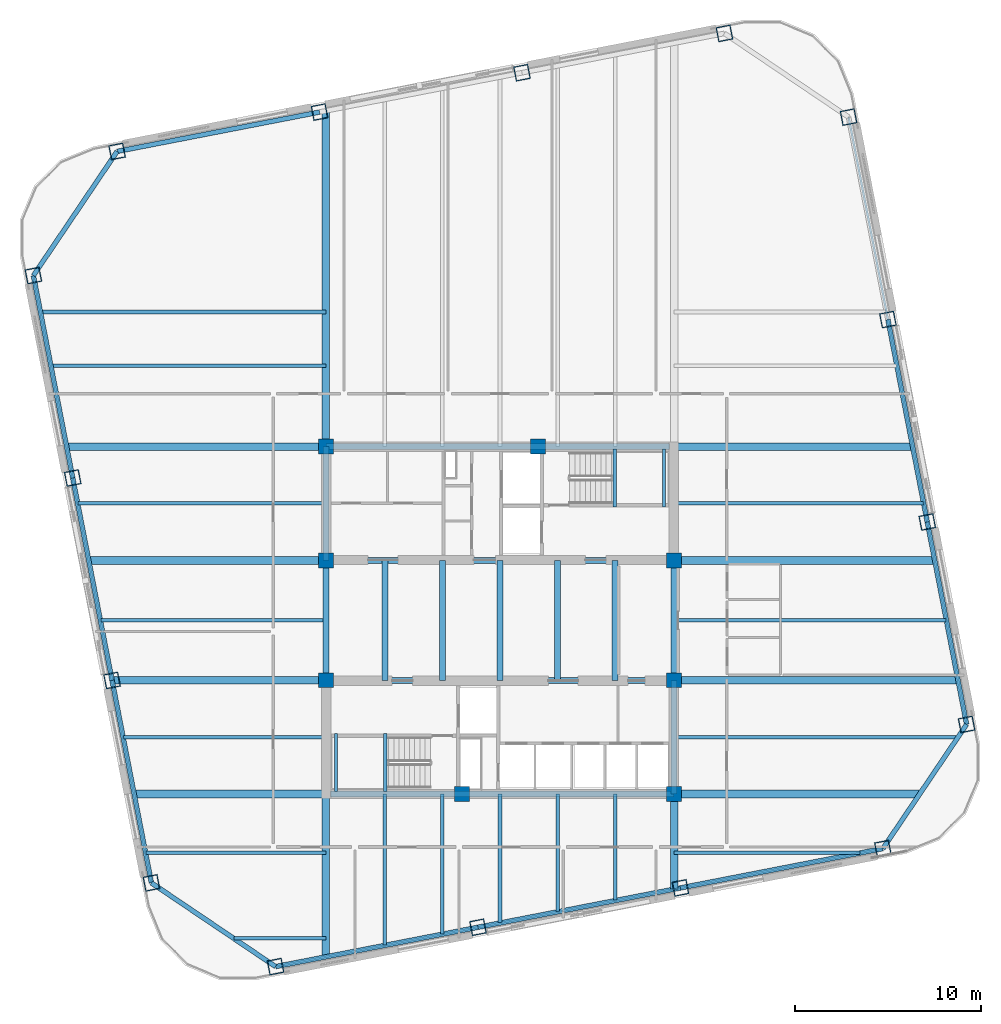
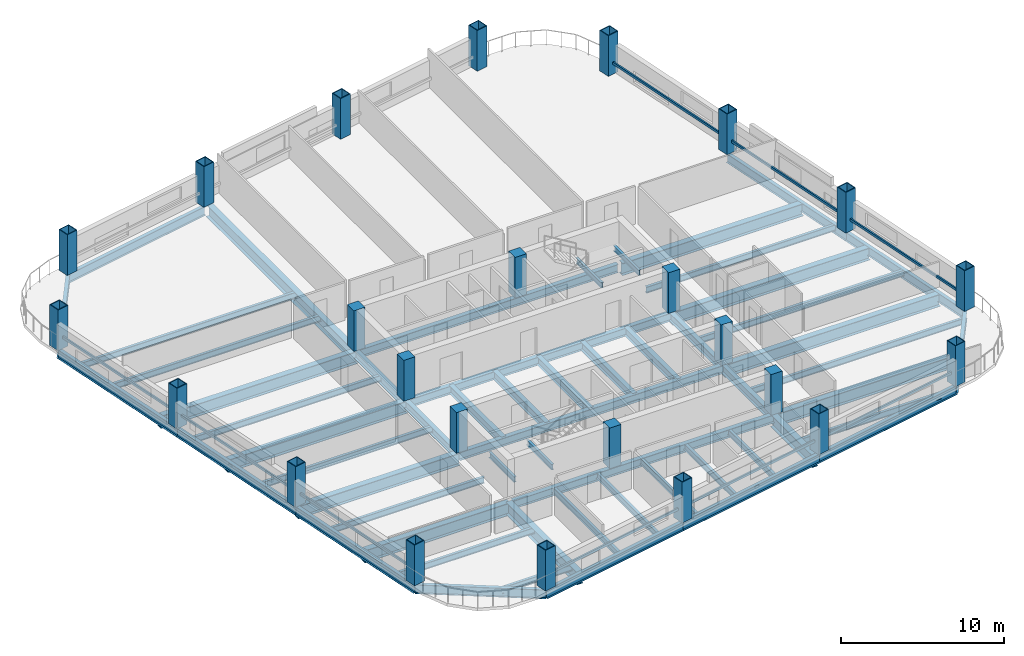
# One storey, part 1 of 9: 56 beams, 24 columns, 3 members.
"""IFC4 building model written with IfcOpenShell, lengths in metres."""

from ifc_helpers import new_model, si_unit, direction, frame, origin, origin_2d, place, context, subcontext, project, spatial, rectangle, hollow_rectangle, i_section, extrude, material, material_profile, profile_set, type_object, element, save


model = new_model("IFC4")

# Units and contexts
model_context = context("Model", 3, precision=1e-05, world=origin(), true_north=direction((0.0, 1.0)))
body_context = subcontext(model_context, "Body", "Model", "MODEL_VIEW")
ifc_project = project(units=[si_unit("LENGTHUNIT", "METRE"), si_unit("AREAUNIT", "SQUARE_METRE"), si_unit("VOLUMEUNIT", "CUBIC_METRE"), si_unit("PLANEANGLEUNIT", "RADIAN"), si_unit("MASSUNIT", "GRAM", prefix="KILO")], contexts=[model_context])

# Site, building, storey
site_placement = place(None, origin())
site = spatial("IfcSite", under=ifc_project, at=site_placement, CompositionType="ELEMENT")
building_placement = place(site_placement, origin())
building = spatial("IfcBuilding", under=site, at=building_placement, Name="Qhalaya Broadcast Tower", CompositionType="ELEMENT")
storey_placement = place(building_placement, frame((0.0, 0.0, 128.050048828125)))
storey = spatial("IfcBuildingStorey", under=building, at=storey_placement, Name="L37", CompositionType="ELEMENT", Elevation=128.050048828125)

# Columns
ifc_material_1 = material(Name="Concrete C50/60", Category="concrete")
ifc_material_profile_1 = material_profile(ifc_material_1, rectangle(XDim=0.800048828125, YDim=0.800048828125, at=origin_2d()), Name="RC-COL 800x800")
ifc_profile_set_1 = profile_set([ifc_material_profile_1], Name="Concrete C50/60")
column_type_1 = type_object("IfcColumnType", Name="RC Upper Column C10", PredefinedType="COLUMN", material=ifc_profile_set_1)
for number, where, z_axis, x_axis, name in (
    (1, (-9.375, 9.949951171875, 0.0), (0.0, 0.0, 1.0), (1.0, 0.0, 0.0), "L37 Column COL-CC1"),
    (2, (2.050048828125, 9.949951171875, 0.0), (0.0, 0.0, 1.0), (1.0, 0.0, 0.0), "L37 Column COL-CC2"),
    (3, (-9.375, 3.824951171875, 0.0), (0.0, 0.0, 1.0), (1.0, 0.0, 0.0), "L37 Column COL-CC3"),
    (4, (9.375, 3.824951171875, 0.0), (0.0, 0.0, 1.0), (1.0, 0.0, 0.0), "L37 Column COL-CC4"),
    (5, (-9.375, -2.625, 0.0), (0.0, 0.0, 1.0), (1.0, 0.0, 0.0), "L37 Column COL-CC5"),
    (6, (9.375, -2.625, 0.0), (0.0, 0.0, 1.0), (1.0, 0.0, 0.0), "L37 Column COL-CC6"),
    (7, (-2.050048828125, -8.75, 0.0), (0.0, 0.0, 1.0), (1.0, 0.0, 0.0), "L37 Column COL-CC7"),
    (8, (9.375, -8.75, 0.0), (0.0, 0.0, 1.0), (1.0, 0.0, 0.0), "L37 Column COL-CC8"),
):
    element("IfcColumn", number, at=place(storey_placement, frame(where, z_axis=z_axis, x_axis=x_axis)), inside=storey, type_object=column_type_1, Name=name, PredefinedType="COLUMN", context=body_context, shape_type="SweptSolid", body=[
        extrude(rectangle(XDim=0.800048828125, YDim=0.800048828125, at=origin_2d()), origin(), (0.0, 0.0, 1.0), 3.050048828125),
    ])
ifc_material_2 = material(Name="Structural Steel ASTM A572 Grade 50", Category="steel")
ifc_material_profile_2 = material_profile(ifc_material_2, hollow_rectangle(XDim=0.800048828125, YDim=0.800048828125, WallThickness=0.050048828125, at=origin_2d()), Name="BOX 800x800x50")
ifc_profile_set_2 = profile_set([ifc_material_profile_2], Name="Structural Steel ASTM A572 Grade 50")
column_type_2 = type_object("IfcColumnType", Name="Steel Box Column C03", PredefinedType="COLUMN", material=ifc_profile_set_2)
for number, where, z_axis, x_axis, name in (
    (9, (-12.07958984375, -18.036376953125, 0.0), (0.0, 0.0, 1.0), (0.981627183448, 0.190808995377, 0.0), "L37 Column COL-EX01"),
    (10, (-1.183349609375, -15.91845703125, 0.0), (0.0, 0.0, 1.0), (0.981627183448, 0.190808995377, 0.0), "L37 Column COL-EX02"),
    (11, (9.712646484375, -13.80029296875, 0.0), (0.0, 0.0, 1.0), (0.981627183448, 0.190808995377, 0.0), "L37 Column COL-EX03"),
    (12, (20.608642578125, -11.682373046875, 0.0), (0.0, 0.0, 1.0), (0.981627183448, 0.190808995377, 0.0), "L37 Column COL-EX04"),
    (13, (25.1162109375, -4.99951171875, 0.0), (0.0, 0.0, 1.0), (-0.190808995377, 0.981627183448, 0.0), "L37 Column COL-EX05"),
    (14, (22.998291015625, 5.896484375, 0.0), (0.0, 0.0, 1.0), (-0.190808995377, 0.981627183448, 0.0), "L37 Column COL-EX06"),
    (15, (20.88037109375, 16.79248046875, 0.0), (0.0, 0.0, 1.0), (-0.190808995377, 0.981627183448, 0.0), "L37 Column COL-EX07"),
    (16, (18.762451171875, 27.688720703125, 0.0), (0.0, 0.0, 1.0), (-0.190808995377, 0.981627183448, 0.0), "L37 Column COL-EX08"),
    (17, (12.07958984375, 32.1962890625, 0.0), (0.0, 0.0, 1.0), (0.981627183448, 0.190808995377, 0.0), "L37 Column COL-EX09"),
    (18, (1.183349609375, 30.078369140625, 0.0), (0.0, 0.0, 1.0), (0.981627183448, 0.190808995377, 0.0), "L37 Column COL-EX10"),
    (19, (-9.712646484375, 27.96044921875, 0.0), (0.0, 0.0, 1.0), (0.981627183448, 0.190808995377, 0.0), "L37 Column COL-EX11"),
    (20, (-20.608642578125, 25.84228515625, 0.0), (0.0, 0.0, 1.0), (0.981627183448, 0.190808995377, 0.0), "L37 Column COL-EX12"),
    (21, (-25.1162109375, 19.159423828125, 0.0), (0.0, 0.0, 1.0), (-0.190808995377, 0.981627183448, 0.0), "L37 Column COL-EX13"),
    (22, (-22.998291015625, 8.263427734375, 0.0), (0.0, 0.0, 1.0), (-0.190808995377, 0.981627183448, 0.0), "L37 Column COL-EX14"),
    (23, (-20.88037109375, -2.632568359375, 0.0), (0.0, 0.0, 1.0), (-0.190808995377, 0.981627183448, 0.0), "L37 Column COL-EX15"),
    (24, (-18.762451171875, -13.52880859375, 0.0), (0.0, 0.0, 1.0), (-0.190808995377, 0.981627183448, 0.0), "L37 Column COL-EX16"),
):
    element("IfcColumn", number, at=place(storey_placement, frame(where, z_axis=z_axis, x_axis=x_axis)), inside=storey, type_object=column_type_2, Name=name, PredefinedType="COLUMN", context=body_context, shape_type="SweptSolid", body=[
        extrude(hollow_rectangle(XDim=0.800048828125, YDim=0.800048828125, WallThickness=0.050048828125, at=origin_2d()), origin(), (0.0, 0.0, 1.0), 3.050048828125),
    ])

# Beams
ifc_material_3 = material(Name="Structural Steel ASTM A992 Grade 50", Category="steel")
ifc_material_profile_3 = material_profile(ifc_material_3, i_section(OverallWidth=0.19189453125, OverallDepth=0.462890625, WebThickness=0.010498046875, FlangeThickness=0.017578125, at=origin_2d()), Name="W18X60")
ifc_profile_set_3 = profile_set([ifc_material_profile_3], Name="Structural Steel ASTM A992 Grade 50")
beam_type_1 = type_object("IfcBeamType", Name="Composite Floor Joist J03", PredefinedType="JOIST", material=ifc_profile_set_3)
beam_1_placement = place(storey_placement, frame((-6.199951171875, -16.873046875, -0.45166015625), z_axis=(0.0, 1.0, 0.0), x_axis=(-1.0, 0.0, 0.0)))
element("IfcBeam", 25, at=beam_1_placement, inside=storey, type_object=beam_type_1, Name="L37 J03 L37-JNS1-1", PredefinedType="JOIST", context=body_context, shape_type="SweptSolid", body=[
    extrude(i_section(OverallWidth=0.19189453125, OverallDepth=0.462890625, WebThickness=0.010498046875, FlangeThickness=0.017578125, at=origin_2d()), origin(), (0.0, 0.0, 1.0), 8.123046875),
])
beam_2_placement = place(storey_placement, frame((-3.10009765625, -16.2705078125, -0.45166015625), z_axis=(0.0, 1.0, 0.0), x_axis=(-1.0, 0.0, 0.0)))
element("IfcBeam", 26, at=beam_2_placement, inside=storey, type_object=beam_type_1, Name="L37 J03 L37-JNS2-1", PredefinedType="JOIST", context=body_context, shape_type="SweptSolid", body=[
    extrude(i_section(OverallWidth=0.19189453125, OverallDepth=0.462890625, WebThickness=0.010498046875, FlangeThickness=0.017578125, at=origin_2d()), origin(), (0.0, 0.0, 1.0), 7.5205078125),
])
beam_3_placement = place(storey_placement, frame((0.0, -15.66796875, -0.45166015625), z_axis=(0.0, 1.0, 0.0), x_axis=(-1.0, 0.0, 0.0)))
element("IfcBeam", 27, at=beam_3_placement, inside=storey, type_object=beam_type_1, Name="L37 J03 L37-JNS3-1", PredefinedType="JOIST", context=body_context, shape_type="SweptSolid", body=[
    extrude(i_section(OverallWidth=0.19189453125, OverallDepth=0.462890625, WebThickness=0.010498046875, FlangeThickness=0.017578125, at=origin_2d()), origin(), (0.0, 0.0, 1.0), 6.91796875),
])
beam_4_placement = place(storey_placement, frame((3.10009765625, -15.0654296875, -0.45166015625), z_axis=(0.0, 1.0, 0.0), x_axis=(-1.0, 0.0, 0.0)))
element("IfcBeam", 28, at=beam_4_placement, inside=storey, type_object=beam_type_1, Name="L37 J03 L37-JNS4-1", PredefinedType="JOIST", context=body_context, shape_type="SweptSolid", body=[
    extrude(i_section(OverallWidth=0.19189453125, OverallDepth=0.462890625, WebThickness=0.010498046875, FlangeThickness=0.017578125, at=origin_2d()), origin(), (0.0, 0.0, 1.0), 6.3154296875),
])
beam_5_placement = place(storey_placement, frame((6.199951171875, -14.462890625, -0.45166015625), z_axis=(0.0, 1.0, 0.0), x_axis=(-1.0, 0.0, 0.0)))
element("IfcBeam", 29, at=beam_5_placement, inside=storey, type_object=beam_type_1, Name="L37 J03 L37-JNS5-1", PredefinedType="JOIST", context=body_context, shape_type="SweptSolid", body=[
    extrude(i_section(OverallWidth=0.19189453125, OverallDepth=0.462890625, WebThickness=0.010498046875, FlangeThickness=0.017578125, at=origin_2d()), origin(), (0.0, 0.0, 1.0), 5.712890625),
])
beam_6_placement = place(storey_placement, frame((-14.3212890625, -16.5, -0.45166015625), z_axis=(1.0, 0.0, 0.0), x_axis=(0.0, 1.0, 0.0)))
element("IfcBeam", 30, at=beam_6_placement, inside=storey, type_object=beam_type_1, Name="L37 J03 L37-JWE1W-1", PredefinedType="JOIST", context=body_context, shape_type="SweptSolid", body=[
    extrude(i_section(OverallWidth=0.19189453125, OverallDepth=0.462890625, WebThickness=0.010498046875, FlangeThickness=0.017578125, at=origin_2d()), origin(), (0.0, 0.0, 1.0), 4.9462890625),
])
beam_7_placement = place(storey_placement, frame((-19.05859375, -11.89990234375, -0.45166015625), z_axis=(1.0, 0.0, 0.0), x_axis=(0.0, 1.0, 0.0)))
element("IfcBeam", 31, at=beam_7_placement, inside=storey, type_object=beam_type_1, Name="L37 J03 L37-JWE2W-1", PredefinedType="JOIST", context=body_context, shape_type="SweptSolid", body=[
    extrude(i_section(OverallWidth=0.19189453125, OverallDepth=0.462890625, WebThickness=0.010498046875, FlangeThickness=0.017578125, at=origin_2d()), origin(), (0.0, 0.0, 1.0), 9.68359375),
])
beam_8_placement = place(storey_placement, frame((9.375, -11.89990234375, -0.45166015625), z_axis=(1.0, 0.0, 0.0), x_axis=(0.0, 1.0, 0.0)))
element("IfcBeam", 32, at=beam_8_placement, inside=storey, type_object=beam_type_1, Name="L37 J03 L37-JWE2E-1", PredefinedType="JOIST", context=body_context, shape_type="SweptSolid", body=[
    extrude(i_section(OverallWidth=0.19189453125, OverallDepth=0.462890625, WebThickness=0.010498046875, FlangeThickness=0.017578125, at=origin_2d()), origin(), (0.0, 0.0, 1.0), 10.009521484375),
])
beam_9_placement = place(storey_placement, frame((-20.263916015625, -5.699951171875, -0.45166015625), z_axis=(1.0, 0.0, 0.0), x_axis=(0.0, 1.0, 0.0)))
element("IfcBeam", 33, at=beam_9_placement, inside=storey, type_object=beam_type_1, Name="L37 J03 L37-JWE3W-1", PredefinedType="JOIST", context=body_context, shape_type="SweptSolid", body=[
    extrude(i_section(OverallWidth=0.19189453125, OverallDepth=0.462890625, WebThickness=0.010498046875, FlangeThickness=0.017578125, at=origin_2d()), origin(), (0.0, 0.0, 1.0), 10.888916015625),
])
beam_10_placement = place(storey_placement, frame((9.375, -5.699951171875, -0.45166015625), z_axis=(1.0, 0.0, 0.0), x_axis=(0.0, 1.0, 0.0)))
element("IfcBeam", 34, at=beam_10_placement, inside=storey, type_object=beam_type_1, Name="L37 J03 L37-JWE3E-1", PredefinedType="JOIST", context=body_context, shape_type="SweptSolid", body=[
    extrude(i_section(OverallWidth=0.19189453125, OverallDepth=0.462890625, WebThickness=0.010498046875, FlangeThickness=0.017578125, at=origin_2d()), origin(), (0.0, 0.0, 1.0), 15.24462890625),
])
beam_11_placement = place(storey_placement, frame((-21.48828125, 0.60009765625, -0.45166015625), z_axis=(1.0, 0.0, 0.0), x_axis=(0.0, 1.0, 0.0)))
element("IfcBeam", 35, at=beam_11_placement, inside=storey, type_object=beam_type_1, Name="L37 J03 L37-JWE4W-1", PredefinedType="JOIST", context=body_context, shape_type="SweptSolid", body=[
    extrude(i_section(OverallWidth=0.19189453125, OverallDepth=0.462890625, WebThickness=0.010498046875, FlangeThickness=0.017578125, at=origin_2d()), origin(), (0.0, 0.0, 1.0), 12.11328125),
])
beam_12_placement = place(storey_placement, frame((9.375, 0.60009765625, -0.45166015625), z_axis=(1.0, 0.0, 0.0), x_axis=(0.0, 1.0, 0.0)))
element("IfcBeam", 36, at=beam_12_placement, inside=storey, type_object=beam_type_1, Name="L37 J03 L37-JWE4E-1", PredefinedType="JOIST", context=body_context, shape_type="SweptSolid", body=[
    extrude(i_section(OverallWidth=0.19189453125, OverallDepth=0.462890625, WebThickness=0.010498046875, FlangeThickness=0.017578125, at=origin_2d()), origin(), (0.0, 0.0, 1.0), 14.632568359375),
])
beam_13_placement = place(storey_placement, frame((-22.712890625, 6.89990234375, -0.45166015625), z_axis=(1.0, 0.0, 0.0), x_axis=(0.0, 1.0, 0.0)))
element("IfcBeam", 37, at=beam_13_placement, inside=storey, type_object=beam_type_1, Name="L37 J03 L37-JWE5W-1", PredefinedType="JOIST", context=body_context, shape_type="SweptSolid", body=[
    extrude(i_section(OverallWidth=0.19189453125, OverallDepth=0.462890625, WebThickness=0.010498046875, FlangeThickness=0.017578125, at=origin_2d()), origin(), (0.0, 0.0, 1.0), 13.337890625),
])
beam_14_placement = place(storey_placement, frame((9.375, 6.89990234375, -0.45166015625), z_axis=(1.0, 0.0, 0.0), x_axis=(0.0, 1.0, 0.0)))
element("IfcBeam", 38, at=beam_14_placement, inside=storey, type_object=beam_type_1, Name="L37 J03 L37-JWE5E-1", PredefinedType="JOIST", context=body_context, shape_type="SweptSolid", body=[
    extrude(i_section(OverallWidth=0.19189453125, OverallDepth=0.462890625, WebThickness=0.010498046875, FlangeThickness=0.017578125, at=origin_2d()), origin(), (0.0, 0.0, 1.0), 13.407958984375),
])
beam_15_placement = place(storey_placement, frame((-24.1513671875, 14.300048828125, -0.45166015625), z_axis=(1.0, 0.0, 0.0), x_axis=(0.0, 1.0, 0.0)))
element("IfcBeam", 39, at=beam_15_placement, inside=storey, type_object=beam_type_1, Name="L37 J03 L37-JWE6W-1", PredefinedType="JOIST", context=body_context, shape_type="SweptSolid", body=[
    extrude(i_section(OverallWidth=0.19189453125, OverallDepth=0.462890625, WebThickness=0.010498046875, FlangeThickness=0.017578125, at=origin_2d()), origin(), (0.0, 0.0, 1.0), 14.7763671875),
])
beam_16_placement = place(storey_placement, frame((-24.715087890625, 17.199951171875, -0.45166015625), z_axis=(1.0, 0.0, 0.0), x_axis=(0.0, 1.0, 0.0)))
element("IfcBeam", 40, at=beam_16_placement, inside=storey, type_object=beam_type_1, Name="L37 J03 L37-JWE7W-1", PredefinedType="JOIST", context=body_context, shape_type="SweptSolid", body=[
    extrude(i_section(OverallWidth=0.19189453125, OverallDepth=0.462890625, WebThickness=0.010498046875, FlangeThickness=0.017578125, at=origin_2d()), origin(), (0.0, 0.0, 1.0), 15.340087890625),
])
ifc_material_profile_4 = material_profile(ifc_material_3, i_section(OverallWidth=0.323974609375, OverallDepth=0.612060546875, WebThickness=0.0126953125, FlangeThickness=0.01904296875, at=origin_2d()), Name="W24X104")
ifc_profile_set_4 = profile_set([ifc_material_profile_4], Name="Structural Steel ASTM A992 Grade 50")
beam_type_2 = type_object("IfcBeamType", Name="Core Frame Tie Beam B04", PredefinedType="BEAM", material=ifc_profile_set_4)
beam_17_placement = place(storey_placement, frame((-9.375, 3.824951171875, -0.526123046875), z_axis=(1.0, 0.0, 0.0), x_axis=(0.0, 1.0, 0.0)))
element("IfcBeam", 41, at=beam_17_placement, inside=storey, type_object=beam_type_2, Name="L37 B04 L37-CCN1", PredefinedType="BEAM", context=body_context, shape_type="SweptSolid", body=[
    extrude(i_section(OverallWidth=0.323974609375, OverallDepth=0.612060546875, WebThickness=0.0126953125, FlangeThickness=0.01904296875, at=origin_2d()), origin(), (0.0, 0.0, 1.0), 18.75),
])
beam_18_placement = place(storey_placement, frame((-9.375, 3.824951171875, -0.526123046875), z_axis=(0.0, 1.0, 0.0), x_axis=(-1.0, 0.0, 0.0)))
element("IfcBeam", 42, at=beam_18_placement, inside=storey, type_object=beam_type_2, Name="L37 B04 L37-CCN2", PredefinedType="BEAM", context=body_context, shape_type="SweptSolid", body=[
    extrude(i_section(OverallWidth=0.323974609375, OverallDepth=0.612060546875, WebThickness=0.0126953125, FlangeThickness=0.01904296875, at=origin_2d()), origin(), (0.0, 0.0, 1.0), 6.125),
])
beam_19_placement = place(storey_placement, frame((-9.375, 9.949951171875, -0.526123046875), z_axis=(1.0, 0.0, 0.0), x_axis=(0.0, 1.0, 0.0)))
element("IfcBeam", 43, at=beam_19_placement, inside=storey, type_object=beam_type_2, Name="L37 B04 L37-CCN3", PredefinedType="BEAM", context=body_context, shape_type="SweptSolid", body=[
    extrude(i_section(OverallWidth=0.323974609375, OverallDepth=0.612060546875, WebThickness=0.0126953125, FlangeThickness=0.01904296875, at=origin_2d()), origin(), (0.0, 0.0, 1.0), 18.4951171875),
])
beam_20_placement = place(storey_placement, frame((-9.375, -2.625, -0.526123046875), z_axis=(1.0, 0.0, 0.0), x_axis=(0.0, 1.0, 0.0)))
element("IfcBeam", 44, at=beam_20_placement, inside=storey, type_object=beam_type_2, Name="L37 B04 L37-CCS1", PredefinedType="BEAM", context=body_context, shape_type="SweptSolid", body=[
    extrude(i_section(OverallWidth=0.323974609375, OverallDepth=0.612060546875, WebThickness=0.0126953125, FlangeThickness=0.01904296875, at=origin_2d()), origin(), (0.0, 0.0, 1.0), 18.75),
])
beam_21_placement = place(storey_placement, frame((9.375, -8.75, -0.526123046875), z_axis=(0.0, 1.0, 0.0), x_axis=(-1.0, 0.0, 0.0)))
element("IfcBeam", 45, at=beam_21_placement, inside=storey, type_object=beam_type_2, Name="L37 B04 L37-CCS2", PredefinedType="BEAM", context=body_context, shape_type="SweptSolid", body=[
    extrude(i_section(OverallWidth=0.323974609375, OverallDepth=0.612060546875, WebThickness=0.0126953125, FlangeThickness=0.01904296875, at=origin_2d()), origin(), (0.0, 0.0, 1.0), 6.125),
])
beam_22_placement = place(storey_placement, frame((-9.1201171875, -8.75, -0.526123046875), z_axis=(1.0, 0.0, 0.0), x_axis=(0.0, 1.0, 0.0)))
element("IfcBeam", 46, at=beam_22_placement, inside=storey, type_object=beam_type_2, Name="L37 B04 L37-CCS3", PredefinedType="BEAM", context=body_context, shape_type="SweptSolid", body=[
    extrude(i_section(OverallWidth=0.323974609375, OverallDepth=0.612060546875, WebThickness=0.0126953125, FlangeThickness=0.01904296875, at=origin_2d()), origin(), (0.0, 0.0, 1.0), 18.4951171875),
])
for number, where, z_axis, x_axis, name in (
    (47, (-9.375, -2.625, -0.526123046875), (0.0, 1.0, 0.0), (-1.0, 0.0, 0.0), "L37 B04 L37-CCW"),
    (48, (9.375, -2.625, -0.526123046875), (0.0, 1.0, 0.0), (-1.0, 0.0, 0.0), "L37 B04 L37-CCE"),
    (49, (-6.199951171875, -2.625, -0.526123046875), (0.0, 1.0, 0.0), (-1.0, 0.0, 0.0), "L37 B04 L37-JC1-1"),
    (50, (-3.10009765625, -2.625, -0.526123046875), (0.0, 1.0, 0.0), (-1.0, 0.0, 0.0), "L37 B04 L37-JC2-1"),
    (51, (0.0, -2.625, -0.526123046875), (0.0, 1.0, 0.0), (-1.0, 0.0, 0.0), "L37 B04 L37-JC3-1"),
    (52, (3.10009765625, -2.625, -0.526123046875), (0.0, 1.0, 0.0), (-1.0, 0.0, 0.0), "L37 B04 L37-JC4-1"),
    (53, (6.199951171875, -2.625, -0.526123046875), (0.0, 1.0, 0.0), (-1.0, 0.0, 0.0), "L37 B04 L37-JC5-1"),
):
    element("IfcBeam", number, at=place(storey_placement, frame(where, z_axis=z_axis, x_axis=x_axis)), inside=storey, type_object=beam_type_2, Name=name, PredefinedType="BEAM", context=body_context, shape_type="SweptSolid", body=[
        extrude(i_section(OverallWidth=0.323974609375, OverallDepth=0.612060546875, WebThickness=0.0126953125, FlangeThickness=0.01904296875, at=origin_2d()), origin(), (0.0, 0.0, 1.0), 6.449951171875),
    ])

# Members
ifc_material_4 = material(Name="Fired Architectural Terracotta", Category="masonry")
ifc_material_profile_5 = material_profile(ifc_material_4, hollow_rectangle(XDim=0.110107421875, YDim=0.179931640625, WallThickness=0.01806640625, at=origin_2d()), Name="TB-BAG 110x180x18")
ifc_profile_set_5 = profile_set([ifc_material_profile_5], Name="Fired Architectural Terracotta")
member_type = type_object("IfcMemberType", Name="Fired Terracotta Facade Baguette Member TB1", PredefinedType="USERDEFINED", material=ifc_profile_set_5)
for number, where, z_axis, x_axis, name in (
    (54, (-12.07958984375, -18.036376953125, 0.848876953125), (0.981626873058, 0.190810592185, 0.0), (-0.190810592185, 0.981626873058, 0.0), "L37 Terracotta Baguette Feature Rail S"),
    (55, (25.1162109375, -4.99951171875, 0.848876953125), (-0.190803527564, 0.981628246267, 0.0), (-0.981628246267, -0.190803527564, 0.0), "L37 Terracotta Baguette Feature Rail E"),
    (56, (-25.1162109375, 19.159423828125, 0.848876953125), (0.190803527564, -0.981628246267, 0.0), (0.981628246267, 0.190803527564, 0.0), "L37 Terracotta Baguette Feature Rail W"),
):
    element("IfcMember", number, at=place(storey_placement, frame(where, z_axis=z_axis, x_axis=x_axis)), inside=storey, type_object=member_type, Name=name, ObjectType="BAGUETTE", PredefinedType="USERDEFINED", context=body_context, shape_type="SweptSolid", body=[
        extrude(hollow_rectangle(XDim=0.110107421875, YDim=0.179931640625, WallThickness=0.01806640625, at=origin_2d()), origin(), (0.0, 0.0, 1.0), 33.300048828125),
    ])

# Beams
ifc_material_profile_6 = material_profile(ifc_material_3, i_section(OverallWidth=0.4189453125, OverallDepth=0.927001953125, WebThickness=0.019287109375, FlangeThickness=0.031982421875, at=origin_2d()), Name="W36X231")
ifc_profile_set_6 = profile_set([ifc_material_profile_6], Name="Structural Steel ASTM A992 Grade 50")
beam_type_3 = type_object("IfcBeamType", Name="Mid Block Primary Girder PG3", PredefinedType="USERDEFINED", material=ifc_profile_set_6)
beam_23_placement = place(storey_placement, frame((-9.375, -17.490234375, -0.68359375), z_axis=(0.0, 1.0, 0.0), x_axis=(-1.0, 0.0, 0.0)))
element("IfcBeam", 57, at=beam_23_placement, inside=storey, type_object=beam_type_3, Name="L37 PG3 L37-PGXS1-1", ObjectType="GIRDER", PredefinedType="USERDEFINED", context=body_context, shape_type="SweptSolid", body=[
    extrude(i_section(OverallWidth=0.4189453125, OverallDepth=0.927001953125, WebThickness=0.019287109375, FlangeThickness=0.031982421875, at=origin_2d()), origin(), (0.0, 0.0, 1.0), 8.740234375),
])
beam_24_placement = place(storey_placement, frame((-9.375, 9.949951171875, -0.68359375), z_axis=(0.0, 1.0, 0.0), x_axis=(-1.0, 0.0, 0.0)))
element("IfcBeam", 58, at=beam_24_placement, inside=storey, type_object=beam_type_3, Name="L37 PG3 L37-PGXN1-1", ObjectType="GIRDER", PredefinedType="USERDEFINED", context=body_context, shape_type="SweptSolid", body=[
    extrude(i_section(OverallWidth=0.4189453125, OverallDepth=0.927001953125, WebThickness=0.019287109375, FlangeThickness=0.031982421875, at=origin_2d()), origin(), (0.0, 0.0, 1.0), 18.0556640625),
])
beam_25_placement = place(storey_placement, frame((9.375, -13.845703125, -0.68359375), z_axis=(0.0, 1.0, 0.0), x_axis=(-1.0, 0.0, 0.0)))
element("IfcBeam", 59, at=beam_25_placement, inside=storey, type_object=beam_type_3, Name="L37 PG3 L37-PGXS2-1", ObjectType="GIRDER", PredefinedType="USERDEFINED", context=body_context, shape_type="SweptSolid", body=[
    extrude(i_section(OverallWidth=0.4189453125, OverallDepth=0.927001953125, WebThickness=0.019287109375, FlangeThickness=0.031982421875, at=origin_2d()), origin(), (0.0, 0.0, 1.0), 5.095703125),
])
beam_26_placement = place(storey_placement, frame((-19.6708984375, -8.75, -0.68359375), z_axis=(1.0, 0.0, 0.0), x_axis=(0.0, 1.0, 0.0)))
element("IfcBeam", 60, at=beam_26_placement, inside=storey, type_object=beam_type_3, Name="L37 PG3 L37-PGYW1-1", ObjectType="GIRDER", PredefinedType="USERDEFINED", context=body_context, shape_type="SweptSolid", body=[
    extrude(i_section(OverallWidth=0.4189453125, OverallDepth=0.927001953125, WebThickness=0.019287109375, FlangeThickness=0.031982421875, at=origin_2d()), origin(), (0.0, 0.0, 1.0), 10.2958984375),
])
beam_27_placement = place(storey_placement, frame((9.375, -8.75, -0.68359375), z_axis=(1.0, 0.0, 0.0), x_axis=(0.0, 1.0, 0.0)))
element("IfcBeam", 61, at=beam_27_placement, inside=storey, type_object=beam_type_3, Name="L37 PG3 L37-PGYE1-1", ObjectType="GIRDER", PredefinedType="USERDEFINED", context=body_context, shape_type="SweptSolid", body=[
    extrude(i_section(OverallWidth=0.4189453125, OverallDepth=0.927001953125, WebThickness=0.019287109375, FlangeThickness=0.031982421875, at=origin_2d()), origin(), (0.0, 0.0, 1.0), 13.1875),
])
beam_28_placement = place(storey_placement, frame((-20.861572265625, -2.625, -0.68359375), z_axis=(1.0, 0.0, 0.0), x_axis=(0.0, 1.0, 0.0)))
element("IfcBeam", 62, at=beam_28_placement, inside=storey, type_object=beam_type_3, Name="L37 PG3 L37-PGYW2-1", ObjectType="GIRDER", PredefinedType="USERDEFINED", context=body_context, shape_type="SweptSolid", body=[
    extrude(i_section(OverallWidth=0.4189453125, OverallDepth=0.927001953125, WebThickness=0.019287109375, FlangeThickness=0.031982421875, at=origin_2d()), origin(), (0.0, 0.0, 1.0), 11.486572265625),
])
beam_29_placement = place(storey_placement, frame((9.375, -2.625, -0.68359375), z_axis=(1.0, 0.0, 0.0), x_axis=(0.0, 1.0, 0.0)))
element("IfcBeam", 63, at=beam_29_placement, inside=storey, type_object=beam_type_3, Name="L37 PG3 L37-PGYE2-1", ObjectType="GIRDER", PredefinedType="USERDEFINED", context=body_context, shape_type="SweptSolid", body=[
    extrude(i_section(OverallWidth=0.4189453125, OverallDepth=0.927001953125, WebThickness=0.019287109375, FlangeThickness=0.031982421875, at=origin_2d()), origin(), (0.0, 0.0, 1.0), 15.259521484375),
])
beam_30_placement = place(storey_placement, frame((-22.115234375, 3.824951171875, -0.68359375), z_axis=(1.0, 0.0, 0.0), x_axis=(0.0, 1.0, 0.0)))
element("IfcBeam", 64, at=beam_30_placement, inside=storey, type_object=beam_type_3, Name="L37 PG3 L37-PGYW3-1", ObjectType="GIRDER", PredefinedType="USERDEFINED", context=body_context, shape_type="SweptSolid", body=[
    extrude(i_section(OverallWidth=0.4189453125, OverallDepth=0.927001953125, WebThickness=0.019287109375, FlangeThickness=0.031982421875, at=origin_2d()), origin(), (0.0, 0.0, 1.0), 12.740234375),
])
beam_31_placement = place(storey_placement, frame((9.375, 3.824951171875, -0.68359375), z_axis=(1.0, 0.0, 0.0), x_axis=(0.0, 1.0, 0.0)))
element("IfcBeam", 65, at=beam_31_placement, inside=storey, type_object=beam_type_3, Name="L37 PG3 L37-PGYE3-1", ObjectType="GIRDER", PredefinedType="USERDEFINED", context=body_context, shape_type="SweptSolid", body=[
    extrude(i_section(OverallWidth=0.4189453125, OverallDepth=0.927001953125, WebThickness=0.019287109375, FlangeThickness=0.031982421875, at=origin_2d()), origin(), (0.0, 0.0, 1.0), 14.005615234375),
])
beam_32_placement = place(storey_placement, frame((-23.305908203125, 9.949951171875, -0.68359375), z_axis=(1.0, 0.0, 0.0), x_axis=(0.0, 1.0, 0.0)))
element("IfcBeam", 66, at=beam_32_placement, inside=storey, type_object=beam_type_3, Name="L37 PG3 L37-PGYW4-1", ObjectType="GIRDER", PredefinedType="USERDEFINED", context=body_context, shape_type="SweptSolid", body=[
    extrude(i_section(OverallWidth=0.4189453125, OverallDepth=0.927001953125, WebThickness=0.019287109375, FlangeThickness=0.031982421875, at=origin_2d()), origin(), (0.0, 0.0, 1.0), 13.930908203125),
])
beam_33_placement = place(storey_placement, frame((9.375, 9.949951171875, -0.68359375), z_axis=(1.0, 0.0, 0.0), x_axis=(0.0, 1.0, 0.0)))
element("IfcBeam", 67, at=beam_33_placement, inside=storey, type_object=beam_type_3, Name="L37 PG3 L37-PGYE4-1", ObjectType="GIRDER", PredefinedType="USERDEFINED", context=body_context, shape_type="SweptSolid", body=[
    extrude(i_section(OverallWidth=0.4189453125, OverallDepth=0.927001953125, WebThickness=0.019287109375, FlangeThickness=0.031982421875, at=origin_2d()), origin(), (0.0, 0.0, 1.0), 12.815185546875),
])
ifc_material_profile_7 = material_profile(ifc_material_3, i_section(OverallWidth=0.25390625, OverallDepth=0.68310546875, WebThickness=0.012451171875, FlangeThickness=0.01904296875, at=origin_2d()), Name="W27X94")
ifc_profile_set_7 = profile_set([ifc_material_profile_7], Name="Structural Steel ASTM A992 Grade 50")
beam_type_4 = type_object("IfcBeamType", Name="Perimeter Ring Spandrel Beam SP1", PredefinedType="SPANDREL", material=ifc_profile_set_7)
beam_34_placement = place(storey_placement, frame((-12.07958984375, -18.036376953125, -0.5615234375), z_axis=(0.98162878008, 0.190800781233, 0.0), x_axis=(-0.190800781233, 0.98162878008, 0.0)))
element("IfcBeam", 68, at=beam_34_placement, inside=storey, type_object=beam_type_4, Name="L37 SP1 L37-SPR-01", PredefinedType="SPANDREL", context=body_context, shape_type="SweptSolid", body=[
    extrude(i_section(OverallWidth=0.25390625, OverallDepth=0.68310546875, WebThickness=0.012451171875, FlangeThickness=0.01904296875, at=origin_2d()), origin(), (0.0, 0.0, 1.0), 11.10009765625),
])
for number, where, z_axis, x_axis, name in (
    (69, (-1.183349609375, -15.91845703125, -0.5615234375), (0.981623859527, 0.190826094673, 0.0), (-0.190826094673, 0.981623859527, 0.0), "L37 SP1 L37-SPR-02"),
    (70, (9.712646484375, -13.80029296875, -0.5615234375), (0.981627979352, 0.190804900759, 0.0), (-0.190804900759, 0.981627979352, 0.0), "L37 SP1 L37-SPR-03"),
):
    element("IfcBeam", number, at=place(storey_placement, frame(where, z_axis=z_axis, x_axis=x_axis)), inside=storey, type_object=beam_type_4, Name=name, PredefinedType="SPANDREL", context=body_context, shape_type="SweptSolid", body=[
        extrude(i_section(OverallWidth=0.25390625, OverallDepth=0.68310546875, WebThickness=0.012451171875, FlangeThickness=0.01904296875, at=origin_2d()), origin(), (0.0, 0.0, 1.0), 11.099853515625),
    ])
beam_35_placement = place(storey_placement, frame((20.608642578125, -11.682373046875, -0.5615234375), z_axis=(0.559186208288, 0.829042088473, 0.0), x_axis=(-0.829042088473, 0.559186208288, 0.0)))
element("IfcBeam", 71, at=beam_35_placement, inside=storey, type_object=beam_type_4, Name="L37 SP1 L37-SPR-04", PredefinedType="SPANDREL", context=body_context, shape_type="SweptSolid", body=[
    extrude(i_section(OverallWidth=0.25390625, OverallDepth=0.68310546875, WebThickness=0.012451171875, FlangeThickness=0.01904296875, at=origin_2d()), origin(), (0.0, 0.0, 1.0), 8.06103515625),
])
for number, where, z_axis, x_axis, name in (
    (72, (25.1162109375, -4.99951171875, -0.5615234375), (-0.190804900759, 0.981627979352, 0.0), (-0.981627979352, -0.190804900759, 0.0), "L37 SP1 L37-SPR-05"),
    (73, (22.998291015625, 5.896484375, -0.5615234375), (-0.190804900759, 0.981627979352, 0.0), (-0.981627979352, -0.190804900759, 0.0), "L37 SP1 L37-SPR-06"),
    (74, (-9.712646484375, 27.96044921875, -0.5615234375), (-0.981623859527, -0.190826094673, 0.0), (0.190826094673, -0.981623859527, 0.0), "L37 SP1 L37-SPR-11"),
):
    element("IfcBeam", number, at=place(storey_placement, frame(where, z_axis=z_axis, x_axis=x_axis)), inside=storey, type_object=beam_type_4, Name=name, PredefinedType="SPANDREL", context=body_context, shape_type="SweptSolid", body=[
        extrude(i_section(OverallWidth=0.25390625, OverallDepth=0.68310546875, WebThickness=0.012451171875, FlangeThickness=0.01904296875, at=origin_2d()), origin(), (0.0, 0.0, 1.0), 11.099853515625),
    ])
beam_36_placement = place(storey_placement, frame((-20.608642578125, 25.84228515625, -0.5615234375), z_axis=(-0.559186208288, -0.829042088473, 0.0), x_axis=(0.829042088473, -0.559186208288, 0.0)))
element("IfcBeam", 75, at=beam_36_placement, inside=storey, type_object=beam_type_4, Name="L37 SP1 L37-SPR-12", PredefinedType="SPANDREL", context=body_context, shape_type="SweptSolid", body=[
    extrude(i_section(OverallWidth=0.25390625, OverallDepth=0.68310546875, WebThickness=0.012451171875, FlangeThickness=0.01904296875, at=origin_2d()), origin(), (0.0, 0.0, 1.0), 8.06103515625),
])
for number, where, z_axis, x_axis, name in (
    (76, (-25.1162109375, 19.159423828125, -0.5615234375), (0.190804900759, -0.981627979352, 0.0), (0.981627979352, 0.190804900759, 0.0), "L37 SP1 L37-SPR-13"),
    (77, (-22.998291015625, 8.263427734375, -0.5615234375), (0.190804900759, -0.981627979352, 0.0), (0.981627979352, 0.190804900759, 0.0), "L37 SP1 L37-SPR-14"),
):
    element("IfcBeam", number, at=place(storey_placement, frame(where, z_axis=z_axis, x_axis=x_axis)), inside=storey, type_object=beam_type_4, Name=name, PredefinedType="SPANDREL", context=body_context, shape_type="SweptSolid", body=[
        extrude(i_section(OverallWidth=0.25390625, OverallDepth=0.68310546875, WebThickness=0.012451171875, FlangeThickness=0.01904296875, at=origin_2d()), origin(), (0.0, 0.0, 1.0), 11.099853515625),
    ])
beam_37_placement = place(storey_placement, frame((-20.88037109375, -2.632568359375, -0.5615234375), z_axis=(0.190800781233, -0.98162878008, 0.0), x_axis=(0.98162878008, 0.190800781233, 0.0)))
element("IfcBeam", 78, at=beam_37_placement, inside=storey, type_object=beam_type_4, Name="L37 SP1 L37-SPR-15", PredefinedType="SPANDREL", context=body_context, shape_type="SweptSolid", body=[
    extrude(i_section(OverallWidth=0.25390625, OverallDepth=0.68310546875, WebThickness=0.012451171875, FlangeThickness=0.01904296875, at=origin_2d()), origin(), (0.0, 0.0, 1.0), 11.10009765625),
])
beam_38_placement = place(storey_placement, frame((-18.762451171875, -13.52880859375, -0.5615234375), z_axis=(0.829042088473, -0.559186208288, 0.0), x_axis=(0.559186208288, 0.829042088473, 0.0)))
element("IfcBeam", 79, at=beam_38_placement, inside=storey, type_object=beam_type_4, Name="L37 SP1 L37-SPR-16", PredefinedType="SPANDREL", context=body_context, shape_type="SweptSolid", body=[
    extrude(i_section(OverallWidth=0.25390625, OverallDepth=0.68310546875, WebThickness=0.012451171875, FlangeThickness=0.01904296875, at=origin_2d()), origin(), (0.0, 0.0, 1.0), 8.06103515625),
])
ifc_material_profile_8 = material_profile(ifc_material_3, i_section(OverallWidth=0.177978515625, OverallDepth=0.406005859375, WebThickness=0.0078125, FlangeThickness=0.0126953125, at=origin_2d()), Name="W16X40")
ifc_profile_set_8 = profile_set([ifc_material_profile_8], Name="Structural Steel ASTM A992 Grade 50")
beam_type_5 = type_object("IfcBeamType", Name="Upper Perimeter Spandrel Beam SP2", PredefinedType="SPANDREL", material=ifc_profile_set_8)
for number, where, z_axis, x_axis, name in (
    (80, (6.175048828125, 6.699951171875, 1.1220703125), (0.0, 1.0, 0.0), (-1.0, 0.0, 0.0), "L37 ST-1 Half-Landing Bearer Beam 1"),
    (81, (8.830078125, 6.699951171875, 1.1220703125), (0.0, 1.0, 0.0), (-1.0, 0.0, 0.0), "L37 ST-1 Half-Landing Bearer Beam 2"),
    (82, (-8.830078125, -8.6201171875, 1.1220703125), (0.0, 1.0, 0.0), (-1.0, 0.0, 0.0), "L37 ST-2 Half-Landing Bearer Beam 1"),
    (83, (-6.175048828125, -8.6201171875, 1.1220703125), (0.0, 1.0, 0.0), (-1.0, 0.0, 0.0), "L37 ST-2 Half-Landing Bearer Beam 2"),
):
    element("IfcBeam", number, at=place(storey_placement, frame(where, z_axis=z_axis, x_axis=x_axis)), inside=storey, type_object=beam_type_5, Name=name, PredefinedType="SPANDREL", context=body_context, shape_type="SweptSolid", body=[
        extrude(i_section(OverallWidth=0.177978515625, OverallDepth=0.406005859375, WebThickness=0.0078125, FlangeThickness=0.0126953125, at=origin_2d()), origin(), (0.0, 0.0, 1.0), 3.1201171875),
    ])

save(model, "model.ifc")
